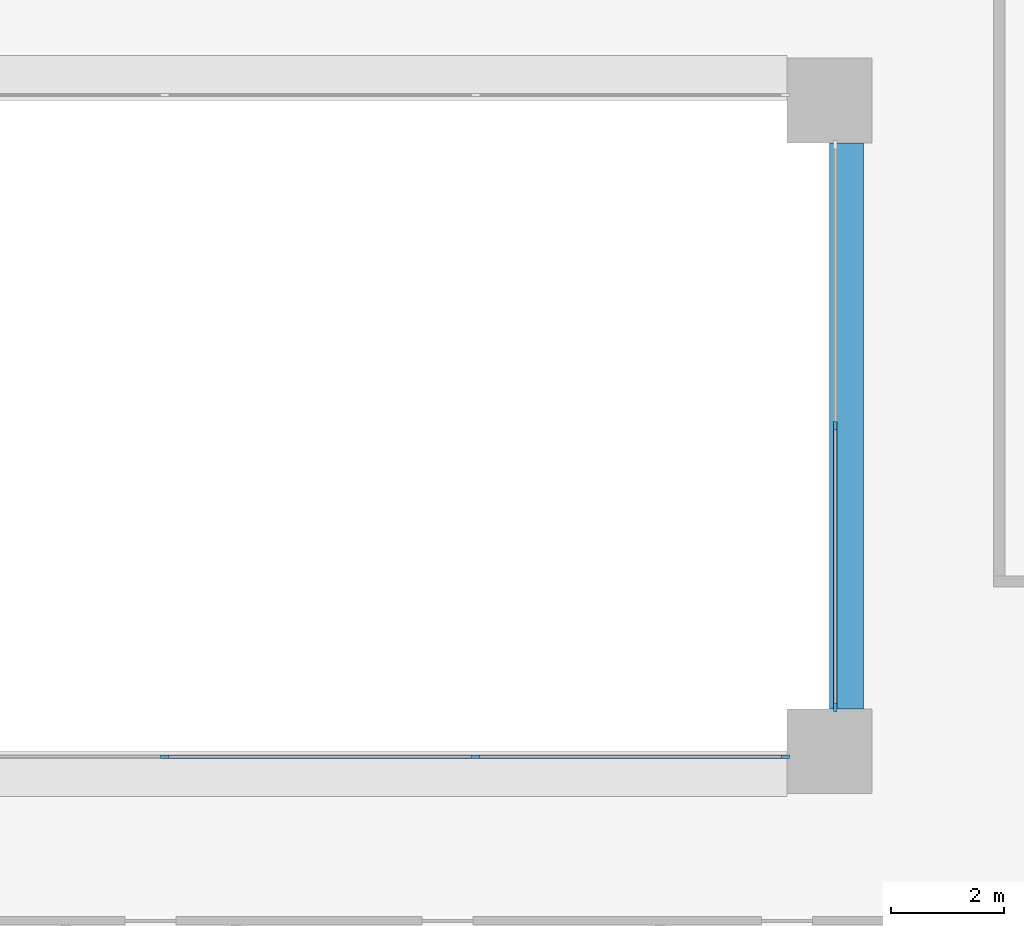
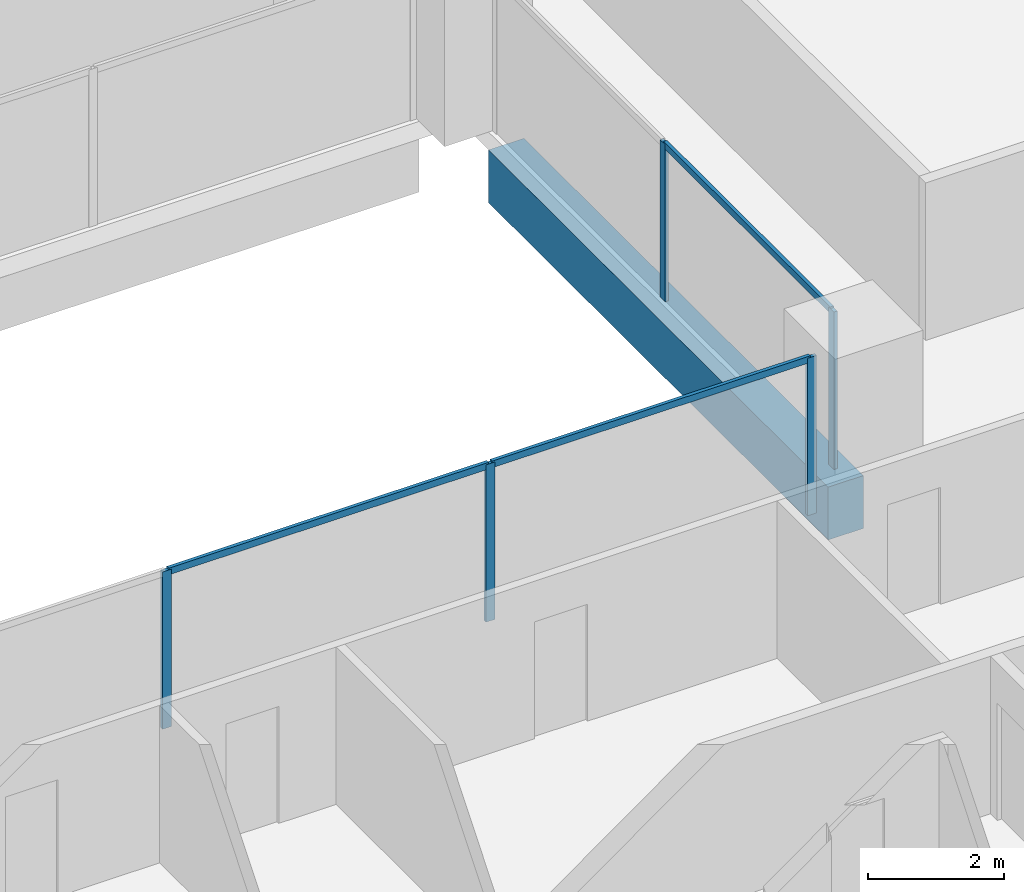
# One storey, part 4 of 20: 8 members, 1 beam, 2 elements without a shape of their own.
"""IFC4 building model written with IfcOpenShell, lengths in metres."""

from ifc_helpers import new_model, si_unit, direction, frame, origin, origin_2d, place, context, subcontext, project, spatial, rectangle, extrude, material, layer, layer_set, material_profile, profile_set, type_object, element, aggregate, save


model = new_model("IFC4")

# Units and contexts
model_context = context("Model", 3, precision=1e-05, world=origin(), true_north=direction((0.0, 1.0)))
body_context = subcontext(model_context, "Body", "Model", "MODEL_VIEW")
ifc_project = project(units=[si_unit("LENGTHUNIT", "METRE"), si_unit("AREAUNIT", "SQUARE_METRE"), si_unit("VOLUMEUNIT", "CUBIC_METRE"), si_unit("PLANEANGLEUNIT", "RADIAN"), si_unit("MASSUNIT", "GRAM", prefix="KILO")], contexts=[model_context])

# Site, building, storey
site_placement = place(None, origin())
site = spatial("IfcSite", under=ifc_project, at=site_placement, CompositionType="ELEMENT")
building_placement = place(site_placement, origin())
building = spatial("IfcBuilding", under=site, at=building_placement, Name="Brigalow Station Residences", CompositionType="ELEMENT")
storey_placement = place(building_placement, frame((0.0, 0.0, 60.449951171875)))
storey = spatial("IfcBuildingStorey", under=building, at=storey_placement, Name="L17", CompositionType="ELEMENT", Elevation=60.449951171875)

# Beam
ifc_material_1 = material(Name="Concrete C65", Category="concrete")
ifc_material_profile_1 = material_profile(ifc_material_1, rectangle(XDim=0.60009765625, YDim=0.949951171875, at=origin_2d()), Name="RC600x950")
ifc_profile_set_1 = profile_set([ifc_material_profile_1], Name="Concrete C65")
beam_type = type_object("IfcBeamType", Name="ATRIUM EDGE GIRDER 600x950 C65", PredefinedType="BEAM", material=ifc_profile_set_1)
beam_placement = place(storey_placement, frame((45.300048828125, 24.75, -0.794921875), z_axis=(0.0, 1.0, 0.0), x_axis=(-1.0, 0.0, 0.0)))
element("IfcBeam", 1, at=beam_placement, inside=storey, type_object=beam_type, Name="ATRIUM EDGE GIRDER 5 L17", PredefinedType="BEAM", context=body_context, shape_type="SweptSolid", body=[
    extrude(rectangle(XDim=0.60009765625, YDim=0.949951171875, at=origin_2d()), origin(), (0.0, 0.0, 1.0), 10.0),
])

# Curtain wall, members
ifc_material_2 = material(Name="Aluminium", Category="aluminium")
ifc_layer = layer(ifc_material_2, 0.14990234375)
ifc_layer_set = layer_set([ifc_layer], Name="ATRIUM FIRE-RATED GLAZING CURTAIN WALL")
curtain_wall_type = type_object("IfcCurtainWallType", Name="ATRIUM FIRE-RATED GLAZING CURTAIN WALL", PredefinedType="NOTDEFINED", material=ifc_layer_set)
curtain_wall_1_placement = place(storey_placement, origin())
curtain_wall_1 = element("IfcCurtainWall", 2, at=curtain_wall_1_placement, inside=storey, type_object=curtain_wall_type, Name="L17/cw/atrium-S", PredefinedType="NOTDEFINED")
ifc_material_3 = material(Name="Aluminium", Category="aluminium")
ifc_material_profile_2 = material_profile(ifc_material_3, rectangle(XDim=0.06005859375, YDim=0.14990234375, at=origin_2d()), Name="ATRIUM FIRE-RATED GLAZING MULLION 60x150")
ifc_profile_set_2 = profile_set([ifc_material_profile_2], Name="Aluminium")
member_type_1 = type_object("IfcMemberType", Name="ATRIUM FIRE-RATED GLAZING MULLION 60x150", PredefinedType="MULLION", material=ifc_profile_set_2)
member_1_placement = place(storey_placement, frame((33.25, 23.89990234375, 0.0), z_axis=(0.0, 0.0, 1.0), x_axis=(0.0, 1.0, 0.0)))
member_1 = element("IfcMember", 3, at=member_1_placement, type_object=member_type_1, Name="L17/cw/atrium-S/M01", PredefinedType="MULLION", context=body_context, shape_type="SweptSolid", body=[
    extrude(rectangle(XDim=0.06005859375, YDim=0.14990234375, at=origin_2d()), origin(), (0.0, 0.0, 1.0), 2.830078125),
])
member_2_placement = place(storey_placement, frame((38.75, 23.89990234375, 0.0), z_axis=(0.0, 0.0, 1.0), x_axis=(0.0, 1.0, 0.0)))
member_2 = element("IfcMember", 4, at=member_2_placement, type_object=member_type_1, Name="L17/cw/atrium-S/M02", PredefinedType="MULLION", context=body_context, shape_type="SweptSolid", body=[
    extrude(rectangle(XDim=0.06005859375, YDim=0.14990234375, at=origin_2d()), origin(), (0.0, 0.0, 1.0), 2.830078125),
])
member_3_placement = place(storey_placement, frame((44.219970703125, 23.89990234375, 0.0), z_axis=(0.0, 0.0, 1.0), x_axis=(0.0, 1.0, 0.0)))
member_3 = element("IfcMember", 5, at=member_3_placement, type_object=member_type_1, Name="L17/cw/atrium-S/M03", PredefinedType="MULLION", context=body_context, shape_type="SweptSolid", body=[
    extrude(rectangle(XDim=0.06005859375, YDim=0.14990234375, at=origin_2d()), origin(), (0.0, 0.0, 1.0), 2.830078125),
])

curtain_wall_2_placement = place(storey_placement, origin())
curtain_wall_2 = element("IfcCurtainWall", 6, at=curtain_wall_2_placement, inside=storey, type_object=curtain_wall_type, Name="L17/cw/atrium-E", PredefinedType="NOTDEFINED")
member_4_placement = place(storey_placement, frame((45.10009765625, 24.780029296875, 0.0), z_axis=(0.0, 0.0, 1.0), x_axis=(-1.0, 0.0, 0.0)))
member_4 = element("IfcMember", 7, at=member_4_placement, type_object=member_type_1, Name="L17/cw/atrium-E/M00", PredefinedType="MULLION", context=body_context, shape_type="SweptSolid", body=[
    extrude(rectangle(XDim=0.06005859375, YDim=0.14990234375, at=origin_2d()), origin(), (0.0, 0.0, 1.0), 2.830078125),
])
member_5_placement = place(storey_placement, frame((45.10009765625, 29.75, 0.0), z_axis=(0.0, 0.0, 1.0), x_axis=(-1.0, 0.0, 0.0)))
member_5 = element("IfcMember", 8, at=member_5_placement, type_object=member_type_1, Name="L17/cw/atrium-E/M01", PredefinedType="MULLION", context=body_context, shape_type="SweptSolid", body=[
    extrude(rectangle(XDim=0.06005859375, YDim=0.14990234375, at=origin_2d()), origin(), (0.0, 0.0, 1.0), 2.830078125),
])

# Member
ifc_material_4 = material(Name="Aluminium", Category="aluminium")
ifc_material_profile_3 = material_profile(ifc_material_4, rectangle(XDim=0.06005859375, YDim=0.1201171875, at=origin_2d()), Name="ATRIUM FIRE-RATED GLAZING TRANSOM 60x120")
ifc_profile_set_3 = profile_set([ifc_material_profile_3], Name="Aluminium")
member_type_2 = type_object("IfcMemberType", Name="ATRIUM FIRE-RATED GLAZING TRANSOM 60x120", PredefinedType="USERDEFINED", material=ifc_profile_set_3)
member_6_placement = place(storey_placement, frame((33.280029296875, 23.89990234375, 2.800048828125), z_axis=(1.0, 0.0, 0.0), x_axis=(0.0, 1.0, 0.0)))
member_6 = element("IfcMember", 9, at=member_6_placement, type_object=member_type_2, Name="L17/cw/atrium-S/T01-00", ObjectType="TRANSOM", PredefinedType="USERDEFINED", context=body_context, shape_type="SweptSolid", body=[
    extrude(rectangle(XDim=0.06005859375, YDim=0.1201171875, at=origin_2d()), origin(), (0.0, 0.0, 1.0), 5.43994140625),
])

member_7_placement = place(storey_placement, frame((38.780029296875, 23.89990234375, 2.800048828125), z_axis=(1.0, 0.0, 0.0), x_axis=(0.0, 1.0, 0.0)))
member_7 = element("IfcMember", 10, at=member_7_placement, type_object=member_type_2, Name="L17/cw/atrium-S/T02-00", ObjectType="TRANSOM", PredefinedType="USERDEFINED", context=body_context, shape_type="SweptSolid", body=[
    extrude(rectangle(XDim=0.06005859375, YDim=0.1201171875, at=origin_2d()), origin(), (0.0, 0.0, 1.0), 5.409912109375),
])

aggregate(curtain_wall_1, [member_1, member_2, member_3, member_6, member_7])

member_8_placement = place(storey_placement, frame((45.10009765625, 24.81005859375, 2.800048828125), z_axis=(0.0, 1.0, 0.0), x_axis=(-1.0, 0.0, 0.0)))
member_8 = element("IfcMember", 11, at=member_8_placement, type_object=member_type_2, Name="L17/cw/atrium-E/T00-00", ObjectType="TRANSOM", PredefinedType="USERDEFINED", context=body_context, shape_type="SweptSolid", body=[
    extrude(rectangle(XDim=0.06005859375, YDim=0.1201171875, at=origin_2d()), origin(), (0.0, 0.0, 1.0), 4.909912109375),
])

aggregate(curtain_wall_2, [member_4, member_5, member_8])

save(model, "model.ifc")
